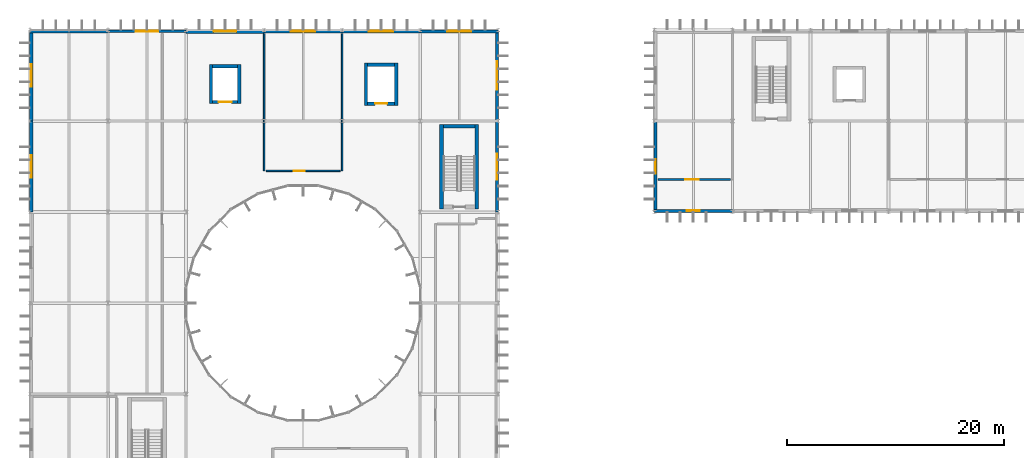
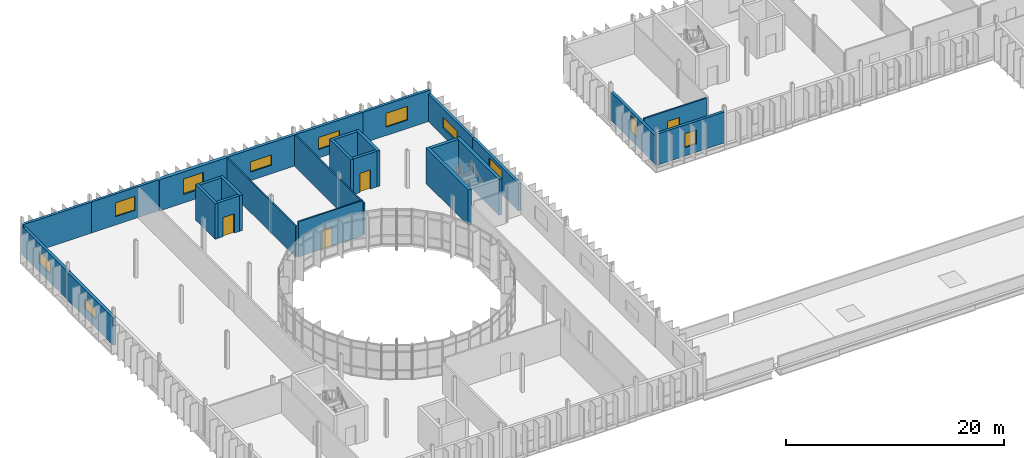
# One storey, part 46 of 61: 27 walls, 11 windows, 4 doors, 15 openings.
"""IFC4 building model written with IfcOpenShell, lengths in metres."""

import ifcopenshell
import ifcopenshell.guid

model = None  # the IFC model being written
_history = None  # IfcOwnerHistory: only IFC2X3 demands one
_inside = {}  # id of a spatial element -> (the spatial element, [elements in it])
_under = {}  # id of a project, library or spatial element -> (it, [spatial elements below it])
_declared = {}  # id of a project -> (the project, [libraries it declares])
_typed = {}  # id of a type object -> (the type object, [elements of that type])
_made_of = {}  # id of a material, layer set ... -> (it, [elements and type objects made of it])


def new_model(schema):
    """Start an empty IFC model of exactly this schema.

    Asked for "IFC4X3", IfcOpenShell would pick the latest addendum, in which some entities
    have other attributes; the version numbers below select the first issue.
    IFC2X3 requires an IfcOwnerHistory on every rooted entity: one is made here for all.
    """
    global model, _history
    if schema == "IFC4X3":
        model = ifcopenshell.file(schema_version=(4, 3, 0, 0))
    else:
        model = ifcopenshell.file(schema=schema)
    _inside.clear()
    _under.clear()
    _declared.clear()
    _typed.clear()
    _made_of.clear()
    _history = None
    if model.schema == "IFC2X3":
        org = make("IfcOrganization", Name="unknown")
        user = make(
            "IfcPersonAndOrganization",
            ThePerson=make("IfcPerson", FamilyName="unknown"),
            TheOrganization=org,
        )
        app = make(
            "IfcApplication",
            ApplicationDeveloper=org,
            Version="unknown",
            ApplicationFullName="unknown",
            ApplicationIdentifier="unknown",
        )
        _history = make(
            "IfcOwnerHistory",
            OwningUser=user,
            OwningApplication=app,
            ChangeAction="ADDED",
            CreationDate=0,
        )
    return model


def make(cls, **values):
    """One entity of the class cls with the attributes given. An attribute that is None is left unset."""
    return model.create_entity(
        cls, **{name: value for name, value in values.items() if value is not None}
    )


def rooted(cls, **values):
    """An entity with a GlobalId (a new one), such as an element, a storey or a relation."""
    return make(cls, GlobalId=ifcopenshell.guid.new(), OwnerHistory=_history, **values)


def si_unit(unit_type, name, prefix=None):
    """IfcSIUnit, for example si_unit("LENGTHUNIT", "METRE", prefix="MILLI")."""
    return make("IfcSIUnit", UnitType=unit_type, Prefix=prefix, Name=name)


def assignment(units):
    """IfcUnitAssignment: the units of a project."""
    return None if units is None else make("IfcUnitAssignment", Units=units)


def point(xyz):
    """IfcCartesianPoint."""
    return None if xyz is None else make("IfcCartesianPoint", Coordinates=xyz)


def direction(xyz):
    """IfcDirection."""
    return None if xyz is None else make("IfcDirection", DirectionRatios=xyz)


def frame(location, z_axis=None, x_axis=None):
    """IfcAxis2Placement3D, a coordinate frame: its origin and axes. An axis left out is left unset."""
    return make(
        "IfcAxis2Placement3D",
        Location=point(location),
        Axis=direction(z_axis),
        RefDirection=direction(x_axis),
    )


def frame_2d(location, x_axis=None):
    """IfcAxis2Placement2D, a coordinate frame in the plane: its origin and x axis."""
    return make(
        "IfcAxis2Placement2D", Location=point(location), RefDirection=direction(x_axis)
    )


def origin():
    """The frame at (0, 0, 0) with its axes left unset."""
    return frame((0.0, 0.0, 0.0))


def place(relative_to, where):
    """IfcLocalPlacement: puts the frame where relative to a parent placement (None: the world)."""
    return make(
        "IfcLocalPlacement", PlacementRelTo=relative_to, RelativePlacement=where
    )


def context(
    kind, dimensions, precision=None, world=None, true_north=None, identifier=None
):
    """IfcGeometricRepresentationContext, for example the 3D "Model" context."""
    return make(
        "IfcGeometricRepresentationContext",
        ContextIdentifier=identifier,
        ContextType=kind,
        CoordinateSpaceDimension=dimensions,
        Precision=precision,
        WorldCoordinateSystem=world,
        TrueNorth=true_north,
    )


def subcontext(parent, identifier, kind, view, scale=None):
    """IfcGeometricRepresentationSubContext, for example "Body" below "Model"."""
    return make(
        "IfcGeometricRepresentationSubContext",
        ContextIdentifier=identifier,
        ContextType=kind,
        ParentContext=parent,
        TargetScale=scale,
        TargetView=view,
    )


def project(units=None, contexts=None):
    """IfcProject with its units and contexts."""
    return rooted(
        "IfcProject",
        Name="project",
        RepresentationContexts=contexts,
        UnitsInContext=assignment(units),
    )


def spatial(cls, under=None, at=None, **own):
    """A site, building, storey or space (cls), placed at a placement, below another one or the project."""
    s = rooted(cls, ObjectPlacement=at, **own)
    if under is not None:
        _under.setdefault(under.id(), (under, []))[1].append(s)
    return s


def profile(cls, at=None, kind="AREA", **sizes):
    """A parametric profile (cls). Its sizes go by their IFC names, for example OverallWidth=200.0."""
    return make(cls, ProfileType=kind, Position=at, **sizes)


def rectangle(**sizes):
    """IfcRectangleProfileDef."""
    return profile("IfcRectangleProfileDef", **sizes)


def extrude(swept, where, along, depth):
    """IfcExtrudedAreaSolid: the profile swept, set in the frame where, extruded along a direction by depth."""
    return make(
        "IfcExtrudedAreaSolid",
        SweptArea=swept,
        Position=where,
        ExtrudedDirection=direction(along),
        Depth=depth,
    )


def shape(context_of_items, identifier, shape_type, items):
    """IfcShapeRepresentation: the items that make up one representation, for example the "Body"."""
    return make(
        "IfcShapeRepresentation",
        ContextOfItems=context_of_items,
        RepresentationIdentifier=identifier,
        RepresentationType=shape_type,
        Items=items,
    )


def material(Name=None, Category=None):
    """IfcMaterial."""
    return make("IfcMaterial", Name=Name, Category=Category)


def layer(
    of_material, thickness, ventilated=None, Name=None, Category=None, Priority=None
):
    """IfcMaterialLayer: one layer of a wall or slab, of a material (None: an air gap)."""
    return make(
        "IfcMaterialLayer",
        Material=of_material,
        LayerThickness=thickness,
        IsVentilated=ventilated,
        Name=Name,
        Category=Category,
        Priority=Priority,
    )


def layer_set(layers, Name=None):
    """IfcMaterialLayerSet."""
    return make("IfcMaterialLayerSet", MaterialLayers=layers, LayerSetName=Name)


def made_of(thing, what):
    """Note that an element or type object is made of a material, layer set ...; save() writes the relation."""
    if what is not None:
        _made_of.setdefault(what.id(), (what, []))[1].append(thing)
    return thing


def type_object(cls, material=None, **own):
    """A type object (cls), such as IfcWallType, which elements share."""
    return made_of(rooted(cls, **own), material)


def element(
    cls,
    number,
    at=None,
    inside=None,
    cuts=None,
    type_object=None,
    material=None,
    context=None,
    identifier="Body",
    shape_type=None,
    held_by="IfcProductDefinitionShape",
    body=None,
    shapes=None,
    **own,
):
    """One element of the class cls, such as IfcWall. Its Tag is "e" and its number.

    at: its placement. inside: the storey or other place that contains it. cuts: it is an
    opening in that element (IfcRelVoidsElement). A single representation is given by context,
    identifier, shape_type and body (its items); several are given by shapes. held_by: the class
    of the entity that holds the representations. save() writes the other relations.
    """
    e = rooted(cls, Tag="e%d" % number, ObjectPlacement=at, **own)
    if body is not None:
        shapes = [shape(context, identifier, shape_type, body)]
    if shapes is not None:
        e.Representation = make(held_by, Representations=shapes)
    if inside is not None:
        _inside.setdefault(inside.id(), (inside, []))[1].append(e)
    if cuts is not None:
        rooted(
            "IfcRelVoidsElement", RelatingBuildingElement=cuts, RelatedOpeningElement=e
        )
    if type_object is not None:
        _typed.setdefault(type_object.id(), (type_object, []))[1].append(e)
    return made_of(e, material)


def fill(opening, filler):
    """IfcRelFillsElement: the door or window that sits in an opening."""
    return rooted(
        "IfcRelFillsElement",
        RelatingOpeningElement=opening,
        RelatedBuildingElement=filler,
    )


def aggregate(whole, parts):
    """IfcRelAggregates: a whole, such as a stair, and the parts it consists of."""
    return rooted("IfcRelAggregates", RelatingObject=whole, RelatedObjects=parts)


def save(model, path):
    """Write the relations noted so far, then the file.

    IfcRelAggregates (storeys below a building ...), IfcRelContainedInSpatialStructure (elements
    in a storey), IfcRelDefinesByType, IfcRelAssociatesMaterial and IfcRelDeclares: one each for
    every whole, place, type object, material and project.
    """
    for whole, parts in _under.values():
        aggregate(whole, parts)
    for where, things in _inside.values():
        rooted(
            "IfcRelContainedInSpatialStructure",
            RelatedElements=things,
            RelatingStructure=where,
        )
    for kind, things in _typed.values():
        rooted("IfcRelDefinesByType", RelatedObjects=things, RelatingType=kind)
    for what, things in _made_of.values():
        rooted("IfcRelAssociatesMaterial", RelatedObjects=things, RelatingMaterial=what)
    for by, libraries in _declared.values():
        rooted("IfcRelDeclares", RelatingContext=by, RelatedDefinitions=libraries)
    model.write(path)


model = new_model("IFC4")

# Units and contexts
model_context = context("Model", 3, precision=1e-05, world=origin(), true_north=direction((0.0, 1.0)))
body_context = subcontext(model_context, "Body", "Model", "MODEL_VIEW")
ifc_project = project(units=[si_unit("LENGTHUNIT", "METRE"), si_unit("AREAUNIT", "SQUARE_METRE"), si_unit("VOLUMEUNIT", "CUBIC_METRE"), si_unit("PLANEANGLEUNIT", "RADIAN"), si_unit("MASSUNIT", "GRAM", prefix="KILO")], contexts=[model_context])

# Site, building, storey
site_placement = place(None, origin())
site = spatial("IfcSite", under=ifc_project, at=site_placement, CompositionType="ELEMENT")
building_placement = place(site_placement, origin())
building = spatial("IfcBuilding", under=site, at=building_placement, Name="Qelthora Terrace Specialist Clinic", CompositionType="ELEMENT")
storey_placement = place(building_placement, frame((0.0, 0.0, 13.199951171875)))
storey = spatial("IfcBuildingStorey", under=building, at=storey_placement, Name="L03", CompositionType="ELEMENT", Elevation=13.199951171875)

# Walls
ifc_material_1 = material(Name="Concrete C40/50", Category="concrete")
ifc_layer_1 = layer(ifc_material_1, 0.300048828125)
ifc_layer_set_1 = layer_set([ifc_layer_1], Name="Concrete C40/50")
wall_type_1 = type_object("IfcWallType", Name="WAL-CORE-300-C40", PredefinedType="SHEAR", material=ifc_layer_set_1)
for number, where, z_axis, x_axis, name in (
    (1, (31.0, 102.25, 0.0), (0.0, 0.0, 1.0), (0.0, 1.0, 0.0), "Lift SL-02 L03 west shaft wall"),
    (2, (33.800048828125, 102.25, 0.0), (0.0, 0.0, 1.0), (0.0, 1.0, 0.0), "Lift SL-02 L03 east shaft wall"),
):
    element("IfcWall", number, at=place(storey_placement, frame(where, z_axis=z_axis, x_axis=x_axis)), inside=storey, type_object=wall_type_1, Name=name, PredefinedType="SHEAR", context=body_context, shape_type="SweptSolid", body=[
        extrude(rectangle(XDim=3.89990234375, YDim=0.300048828125, at=frame_2d((1.949951171875, 0.0))), origin(), (0.0, 0.0, 1.0), 3.989990234375),
    ])
wall_1_placement = place(storey_placement, frame((31.14990234375, 106.0, 0.0), z_axis=(0.0, 0.0, 1.0), x_axis=(1.0, 0.0, 0.0)))
element("IfcWall", 3, at=wall_1_placement, inside=storey, type_object=wall_type_1, Name="Lift SL-02 L03 north shaft wall", PredefinedType="SHEAR", context=body_context, shape_type="SweptSolid", body=[
    extrude(rectangle(XDim=2.5, YDim=0.300048828125, at=frame_2d((1.25, 0.0))), origin(), (0.0, 0.0, 1.0), 3.989990234375),
])

# Wall, opening, door
wall_2_placement = place(storey_placement, frame((31.14990234375, 102.39990234375, 0.0), z_axis=(0.0, 0.0, 1.0), x_axis=(1.0, 0.0, 0.0)))
wall_2 = element("IfcWall", 4, at=wall_2_placement, inside=storey, type_object=wall_type_1, Name="Lift SL-02 L03 south shaft wall", PredefinedType="SHEAR", context=body_context, shape_type="SweptSolid", body=[
    extrude(rectangle(XDim=2.5, YDim=0.300048828125, at=frame_2d((1.25, 0.0))), origin(), (0.0, 0.0, 1.0), 3.989990234375),
])
opening_1_placement = place(wall_2_placement, frame((0.699951171875, 0.0, 0.0)))
opening_1 = element("IfcOpeningElement", 5, at=opening_1_placement, cuts=wall_2, Name="Opening LD-SL-02-L03", PredefinedType="OPENING", context=body_context, shape_type="SweptSolid", body=[
    extrude(rectangle(XDim=1.10009765625, YDim=2.14990234375, at=frame_2d((0.550048828125, 1.074951171875))), frame((0.0, 0.159912109375, 0.0), z_axis=(0.0, -1.0, 0.0), x_axis=(1.0, 0.0, 0.0)), (0.0, 0.0, 1.0), 0.320068359375),
])
ifc_material_2 = material(Name="Steel S355", Category="steel")
door_type_1 = type_object("IfcDoorType", Name="DOR-LIFT-1100X2150", OperationType="NOTDEFINED", PredefinedType="DOOR", material=ifc_material_2)
door_1_placement = place(opening_1_placement, origin())
door_1 = element("IfcDoor", 6, at=door_1_placement, inside=storey, type_object=door_type_1, Name="Lift landing sliding door LD-SL-02-L03", OperationType="DOUBLE_DOOR_SLIDING", OverallHeight=2.14990234375, OverallWidth=1.10009765625, PredefinedType="DOOR", context=body_context, shape_type="SweptSolid", body=[
    extrude(rectangle(XDim=1.10009765625, YDim=2.14990234375, at=frame_2d((0.550048828125, 1.074951171875))), frame((0.0, 0.02490234375, 0.0), z_axis=(0.0, -1.0, 0.0), x_axis=(1.0, 0.0, 0.0)), (0.0, 0.0, 1.0), 0.050048828125),
])
fill(opening_1, door_1)

# Walls
for number, where, z_axis, x_axis, name in (
    (7, (16.699951171875, 102.39990234375, 0.0), (0.0, 0.0, 1.0), (0.0, 1.0, 0.0), "Lift GL-01 L03 west shaft wall"),
    (8, (19.300048828125, 102.39990234375, 0.0), (0.0, 0.0, 1.0), (0.0, 1.0, 0.0), "Lift GL-01 L03 east shaft wall"),
):
    element("IfcWall", number, at=place(storey_placement, frame(where, z_axis=z_axis, x_axis=x_axis)), inside=storey, type_object=wall_type_1, Name=name, PredefinedType="SHEAR", context=body_context, shape_type="SweptSolid", body=[
        extrude(rectangle(XDim=3.60009765625, YDim=0.300048828125, at=frame_2d((1.800048828125, 0.0))), origin(), (0.0, 0.0, 1.0), 3.989990234375),
    ])
wall_3_placement = place(storey_placement, frame((16.85009765625, 105.85009765625, 0.0), z_axis=(0.0, 0.0, 1.0), x_axis=(1.0, 0.0, 0.0)))
element("IfcWall", 9, at=wall_3_placement, inside=storey, type_object=wall_type_1, Name="Lift GL-01 L03 north shaft wall", PredefinedType="SHEAR", context=body_context, shape_type="SweptSolid", body=[
    extrude(rectangle(XDim=2.2998046875, YDim=0.300048828125, at=frame_2d((1.14990234375, 0.0))), origin(), (0.0, 0.0, 1.0), 3.989990234375),
])

# Wall, opening, door
wall_4_placement = place(storey_placement, frame((16.85009765625, 102.550048828125, 0.0), z_axis=(0.0, 0.0, 1.0), x_axis=(1.0, 0.0, 0.0)))
wall_4 = element("IfcWall", 10, at=wall_4_placement, inside=storey, type_object=wall_type_1, Name="Lift GL-01 L03 south shaft wall", PredefinedType="SHEAR", context=body_context, shape_type="SweptSolid", body=[
    extrude(rectangle(XDim=2.2998046875, YDim=0.300048828125, at=frame_2d((1.14990234375, 0.0))), origin(), (0.0, 0.0, 1.0), 3.989990234375),
])
opening_2_placement = place(wall_4_placement, frame((0.550048828125, 0.0, 0.0)))
opening_2 = element("IfcOpeningElement", 11, at=opening_2_placement, cuts=wall_4, Name="Opening LD-GL-01-L03", PredefinedType="OPENING", context=body_context, shape_type="SweptSolid", body=[
    extrude(rectangle(XDim=1.199951171875, YDim=2.14990234375, at=frame_2d((0.60009765625, 1.074951171875))), frame((0.0, 0.159912109375, 0.0), z_axis=(0.0, -1.0, 0.0), x_axis=(1.0, 0.0, 0.0)), (0.0, 0.0, 1.0), 0.320068359375),
])
door_type_2 = type_object("IfcDoorType", Name="DOR-LIFT-1200X2150", OperationType="NOTDEFINED", PredefinedType="DOOR", material=ifc_material_2)
door_2_placement = place(opening_2_placement, origin())
door_2 = element("IfcDoor", 12, at=door_2_placement, inside=storey, type_object=door_type_2, Name="Lift landing sliding door LD-GL-01-L03", OperationType="DOUBLE_DOOR_SLIDING", OverallHeight=2.14990234375, OverallWidth=1.199951171875, PredefinedType="DOOR", context=body_context, shape_type="SweptSolid", body=[
    extrude(rectangle(XDim=1.199951171875, YDim=2.14990234375, at=frame_2d((0.60009765625, 1.074951171875))), frame((0.0, 0.02490234375, 0.0), z_axis=(0.0, -1.0, 0.0), x_axis=(1.0, 0.0, 0.0)), (0.0, 0.0, 1.0), 0.050048828125),
])
fill(opening_2, door_2)

# Walls
ifc_layer_2 = layer(ifc_material_1, 0.35009765625)
ifc_layer_set_2 = layer_set([ifc_layer_2], Name="Concrete C40/50")
wall_type_2 = type_object("IfcWallType", Name="WAL-CORE-350-C40", PredefinedType="SHEAR", material=ifc_layer_set_2)
for number, where, z_axis, x_axis, name in (
    (13, (37.97509765625, 92.699951171875, 0.0), (0.0, 0.0, 1.0), (0.0, 1.0, 0.0), "ST-02 L03 west shear core wall"),
    (14, (41.22509765625, 92.699951171875, 0.0), (0.0, 0.0, 1.0), (0.0, 1.0, 0.0), "ST-02 L03 east shear core wall"),
):
    element("IfcWall", number, at=place(storey_placement, frame(where, z_axis=z_axis, x_axis=x_axis)), inside=storey, type_object=wall_type_2, Name=name, PredefinedType="SHEAR", context=body_context, shape_type="SweptSolid", body=[
        extrude(rectangle(XDim=7.800048828125, YDim=0.35009765625, at=frame_2d((3.89990234375, 0.0))), origin(), (0.0, 0.0, 1.0), 3.989990234375),
    ])
wall_5_placement = place(storey_placement, frame((38.14990234375, 100.324951171875, 0.0), z_axis=(0.0, 0.0, 1.0), x_axis=(1.0, 0.0, 0.0)))
element("IfcWall", 15, at=wall_5_placement, inside=storey, type_object=wall_type_2, Name="ST-02 L03 north shear core wall", PredefinedType="SHEAR", context=body_context, shape_type="SweptSolid", body=[
    extrude(rectangle(XDim=2.900146484375, YDim=0.35009765625, at=frame_2d((1.4501953125, 0.0))), origin(), (0.0, 0.0, 1.0), 3.989990234375),
])

# Wall, opening, window
ifc_material_3 = material(Name="Precast concrete C40/50", Category="concrete")
ifc_layer_3 = layer(ifc_material_3, 0.260009765625)
ifc_layer_set_3 = layer_set([ifc_layer_3], Name="Precast concrete C40/50")
wall_type_3 = type_object("IfcWallType", Name="WAL-EXT-260-PC40", PredefinedType="SOLIDWALL", material=ifc_layer_set_3)
wall_6_placement = place(storey_placement, frame((7.199951171875, 109.080078125, 0.0), z_axis=(0.0, 0.0, 1.0), x_axis=(1.0, 0.0, 0.0)))
wall_6 = element("IfcWall", 16, at=wall_6_placement, inside=storey, type_object=wall_type_3, Name="L03 external precast wall 329", PredefinedType="SOLIDWALL", context=body_context, shape_type="SweptSolid", body=[
    extrude(rectangle(XDim=7.199951171875, YDim=0.260009765625, at=frame_2d((3.60009765625, 0.0))), origin(), (0.0, 0.0, 1.0), 3.48193359375),
])
opening_3_placement = place(wall_6_placement, frame((2.550048828125, 0.0, 0.949951171875)))
opening_3 = element("IfcOpeningElement", 17, at=opening_3_placement, cuts=wall_6, Name="Opening WN-L03-287", PredefinedType="OPENING", context=body_context, shape_type="SweptSolid", body=[
    extrude(rectangle(XDim=2.10009765625, YDim=1.550048828125, at=frame_2d((1.050048828125, 0.77490234375))), frame((0.0, 0.139892578125, 0.0), z_axis=(0.0, -1.0, 0.0), x_axis=(1.0, 0.0, 0.0)), (0.0, 0.0, 1.0), 0.280029296875),
])
ifc_material_4 = material(Name="Low-E triple-silver insulating glass", Category="glass")
window_type_1 = type_object("IfcWindowType", Name="WIN-2100X1550", PartitioningType="DOUBLE_PANEL_VERTICAL", PredefinedType="WINDOW", material=ifc_material_4)
window_1_placement = place(opening_3_placement, origin())
window_1 = element("IfcWindow", 18, at=window_1_placement, inside=storey, type_object=window_type_1, Name="Clinical window WN-L03-287", OverallHeight=1.550048828125, OverallWidth=2.10009765625, PartitioningType="SINGLE_PANEL", PredefinedType="WINDOW", context=body_context, shape_type="SweptSolid", body=[
    extrude(rectangle(XDim=2.10009765625, YDim=1.550048828125, at=frame_2d((1.050048828125, 0.77490234375))), frame((0.0, 0.030029296875, 0.0), z_axis=(0.0, -1.0, 0.0), x_axis=(1.0, 0.0, 0.0)), (0.0, 0.0, 1.0), 0.06005859375),
])
fill(opening_3, window_1)

wall_7_placement = place(storey_placement, frame((43.080078125, 100.800048828125, 0.0), z_axis=(0.0, 0.0, 1.0), x_axis=(0.0, 1.0, 0.0)))
wall_7 = element("IfcWall", 19, at=wall_7_placement, inside=storey, type_object=wall_type_3, Name="L03 external precast wall 339", PredefinedType="SOLIDWALL", context=body_context, shape_type="SweptSolid", body=[
    extrude(rectangle(XDim=8.39990234375, YDim=0.260009765625, at=frame_2d((4.199951171875, 0.0))), origin(), (0.0, 0.0, 1.0), 3.091064453125),
])
opening_4_placement = place(wall_7_placement, frame((2.89990234375, 0.0, 0.949951171875)))
opening_4 = element("IfcOpeningElement", 20, at=opening_4_placement, cuts=wall_7, Name="Opening WN-L03-297", PredefinedType="OPENING", context=body_context, shape_type="SweptSolid", body=[
    extrude(rectangle(XDim=2.60009765625, YDim=1.14990234375, at=frame_2d((1.300048828125, 0.574951171875))), frame((0.0, 0.139892578125, 0.0), z_axis=(0.0, -1.0, 0.0), x_axis=(1.0, 0.0, 0.0)), (0.0, 0.0, 1.0), 0.280029296875),
])
window_type_2 = type_object("IfcWindowType", Name="WIN-2600X1150", PartitioningType="DOUBLE_PANEL_VERTICAL", PredefinedType="WINDOW", material=ifc_material_4)
window_2_placement = place(opening_4_placement, origin())
window_2 = element("IfcWindow", 21, at=window_2_placement, inside=storey, type_object=window_type_2, Name="Clinical window WN-L03-297", OverallHeight=1.14990234375, OverallWidth=2.60009765625, PartitioningType="SINGLE_PANEL", PredefinedType="WINDOW", context=body_context, shape_type="SweptSolid", body=[
    extrude(rectangle(XDim=2.60009765625, YDim=1.14990234375, at=frame_2d((1.300048828125, 0.574951171875))), frame((0.0, 0.030029296875, 0.0), z_axis=(0.0, -1.0, 0.0), x_axis=(1.0, 0.0, 0.0)), (0.0, 0.0, 1.0), 0.06005859375),
])
fill(opening_4, window_2)

ifc_layer_4 = layer(ifc_material_3, 0.280029296875)
ifc_layer_set_4 = layer_set([ifc_layer_4], Name="Precast concrete C40/50")
wall_type_4 = type_object("IfcWallType", Name="WAL-EXT-280-PC40", PredefinedType="SOLIDWALL", material=ifc_layer_set_4)
wall_8_placement = place(storey_placement, frame((57.60009765625, 92.52001953125, 0.0), z_axis=(0.0, 0.0, 1.0), x_axis=(1.0, 0.0, 0.0)))
wall_8 = element("IfcWall", 22, at=wall_8_placement, inside=storey, type_object=wall_type_4, Name="L03 external precast wall 303", PredefinedType="SOLIDWALL", context=body_context, shape_type="SweptSolid", body=[
    extrude(rectangle(XDim=7.199951171875, YDim=0.280029296875, at=frame_2d((3.60009765625, 0.0))), origin(), (0.0, 0.0, 1.0), 3.48193359375),
])
opening_5_placement = place(wall_8_placement, frame((3.0, 0.0, 0.949951171875)))
opening_5 = element("IfcOpeningElement", 23, at=opening_5_placement, cuts=wall_8, Name="Opening WN-L03-263", PredefinedType="OPENING", context=body_context, shape_type="SweptSolid", body=[
    extrude(rectangle(XDim=1.199951171875, YDim=1.550048828125, at=frame_2d((0.60009765625, 0.77490234375))), frame((0.0, 0.14990234375, 0.0), z_axis=(0.0, -1.0, 0.0), x_axis=(1.0, 0.0, 0.0)), (0.0, 0.0, 1.0), 0.300048828125),
])
window_type_3 = type_object("IfcWindowType", Name="WIN-1200X1550", PartitioningType="SINGLE_PANEL", PredefinedType="WINDOW", material=ifc_material_4)
window_3_placement = place(opening_5_placement, origin())
window_3 = element("IfcWindow", 24, at=window_3_placement, inside=storey, type_object=window_type_3, Name="Clinical window WN-L03-263", OverallHeight=1.550048828125, OverallWidth=1.199951171875, PartitioningType="SINGLE_PANEL", PredefinedType="WINDOW", context=body_context, shape_type="SweptSolid", body=[
    extrude(rectangle(XDim=1.199951171875, YDim=1.550048828125, at=frame_2d((0.60009765625, 0.77490234375))), frame((0.0, 0.030029296875, 0.0), z_axis=(0.0, -1.0, 0.0), x_axis=(1.0, 0.0, 0.0)), (0.0, 0.0, 1.0), 0.06005859375),
])
fill(opening_5, window_3)

wall_9_placement = place(storey_placement, frame((57.719970703125, 92.39990234375, 0.0), z_axis=(0.0, 0.0, 1.0), x_axis=(0.0, 1.0, 0.0)))
wall_9 = element("IfcWall", 25, at=wall_9_placement, inside=storey, type_object=wall_type_4, Name="L03 external precast wall 308", PredefinedType="SOLIDWALL", context=body_context, shape_type="SweptSolid", body=[
    extrude(rectangle(XDim=8.400146484375, YDim=0.280029296875, at=frame_2d((4.2001953125, 0.0))), origin(), (0.0, 0.0, 1.0), 3.172119140625),
])
opening_6_placement = place(wall_9_placement, frame((3.52490234375, 0.0, 0.949951171875)))
opening_6 = element("IfcOpeningElement", 26, at=opening_6_placement, cuts=wall_9, Name="Opening WN-L03-268", PredefinedType="OPENING", context=body_context, shape_type="SweptSolid", body=[
    extrude(rectangle(XDim=1.35009765625, YDim=1.75, at=frame_2d((0.675048828125, 0.875))), frame((0.0, 0.14990234375, 0.0), z_axis=(0.0, -1.0, 0.0), x_axis=(1.0, 0.0, 0.0)), (0.0, 0.0, 1.0), 0.300048828125),
])
window_type_4 = type_object("IfcWindowType", Name="WIN-1350X1750", PartitioningType="SINGLE_PANEL", PredefinedType="WINDOW", material=ifc_material_4)
window_4_placement = place(opening_6_placement, origin())
window_4 = element("IfcWindow", 27, at=window_4_placement, inside=storey, type_object=window_type_4, Name="Clinical window WN-L03-268", OverallHeight=1.75, OverallWidth=1.35009765625, PartitioningType="SINGLE_PANEL", PredefinedType="WINDOW", context=body_context, shape_type="SweptSolid", body=[
    extrude(rectangle(XDim=1.35009765625, YDim=1.75, at=frame_2d((0.675048828125, 0.875))), frame((0.0, 0.030029296875, 0.0), z_axis=(0.0, -1.0, 0.0), x_axis=(1.0, 0.0, 0.0)), (0.0, 0.0, 1.0), 0.06005859375),
])
fill(opening_6, window_4)

# Wall
wall_10_placement = place(storey_placement, frame((0.0, 109.080078125, 0.0), z_axis=(0.0, 0.0, 1.0), x_axis=(1.0, 0.0, 0.0)))
element("IfcWall", 28, at=wall_10_placement, inside=storey, type_object=wall_type_4, Name="L03 external precast wall 328", PredefinedType="SOLIDWALL", context=body_context, shape_type="SweptSolid", body=[
    extrude(rectangle(XDim=7.199951171875, YDim=0.280029296875, at=frame_2d((3.60009765625, 0.0))), origin(), (0.0, 0.0, 1.0), 3.48193359375),
])

# Wall, opening, window
wall_11_placement = place(storey_placement, frame((36.0, 109.080078125, 0.0), z_axis=(0.0, 0.0, 1.0), x_axis=(1.0, 0.0, 0.0)))
wall_11 = element("IfcWall", 29, at=wall_11_placement, inside=storey, type_object=wall_type_4, Name="L03 external precast wall 333", PredefinedType="SOLIDWALL", context=body_context, shape_type="SweptSolid", body=[
    extrude(rectangle(XDim=7.199951171875, YDim=0.280029296875, at=frame_2d((3.60009765625, 0.0))), origin(), (0.0, 0.0, 1.0), 3.48193359375),
])
opening_7_placement = place(wall_11_placement, frame((2.47509765625, 0.0, 0.949951171875)))
opening_7 = element("IfcOpeningElement", 30, at=opening_7_placement, cuts=wall_11, Name="Opening WN-L03-291", PredefinedType="OPENING", context=body_context, shape_type="SweptSolid", body=[
    extrude(rectangle(XDim=2.25, YDim=1.550048828125, at=frame_2d((1.125, 0.77490234375))), frame((0.0, 0.14990234375, 0.0), z_axis=(0.0, -1.0, 0.0), x_axis=(1.0, 0.0, 0.0)), (0.0, 0.0, 1.0), 0.300048828125),
])
window_type_5 = type_object("IfcWindowType", Name="WIN-2250X1550", PartitioningType="DOUBLE_PANEL_VERTICAL", PredefinedType="WINDOW", material=ifc_material_4)
window_5_placement = place(opening_7_placement, origin())
window_5 = element("IfcWindow", 31, at=window_5_placement, inside=storey, type_object=window_type_5, Name="Clinical window WN-L03-291", OverallHeight=1.550048828125, OverallWidth=2.25, PartitioningType="SINGLE_PANEL", PredefinedType="WINDOW", context=body_context, shape_type="SweptSolid", body=[
    extrude(rectangle(XDim=2.25, YDim=1.550048828125, at=frame_2d((1.125, 0.77490234375))), frame((0.0, 0.030029296875, 0.0), z_axis=(0.0, -1.0, 0.0), x_axis=(1.0, 0.0, 0.0)), (0.0, 0.0, 1.0), 0.06005859375),
])
fill(opening_7, window_5)

wall_12_placement = place(storey_placement, frame((43.080078125, 92.39990234375, 0.0), z_axis=(0.0, 0.0, 1.0), x_axis=(0.0, 1.0, 0.0)))
wall_12 = element("IfcWall", 32, at=wall_12_placement, inside=storey, type_object=wall_type_4, Name="L03 external precast wall 338", PredefinedType="SOLIDWALL", context=body_context, shape_type="SweptSolid", body=[
    extrude(rectangle(XDim=8.400146484375, YDim=0.280029296875, at=frame_2d((4.2001953125, 0.0))), origin(), (0.0, 0.0, 1.0), 3.091064453125),
])
opening_8_placement = place(wall_12_placement, frame((3.0, 0.0, 0.949951171875)))
opening_8 = element("IfcOpeningElement", 33, at=opening_8_placement, cuts=wall_12, Name="Opening WN-L03-296", PredefinedType="OPENING", context=body_context, shape_type="SweptSolid", body=[
    extrude(rectangle(XDim=2.39990234375, YDim=1.75, at=frame_2d((1.199951171875, 0.875))), frame((0.0, 0.14990234375, 0.0), z_axis=(0.0, -1.0, 0.0), x_axis=(1.0, 0.0, 0.0)), (0.0, 0.0, 1.0), 0.300048828125),
])
window_type_6 = type_object("IfcWindowType", Name="WIN-2400X1750", PartitioningType="DOUBLE_PANEL_VERTICAL", PredefinedType="WINDOW", material=ifc_material_4)
window_6_placement = place(opening_8_placement, origin())
window_6 = element("IfcWindow", 34, at=window_6_placement, inside=storey, type_object=window_type_6, Name="Clinical window WN-L03-296", OverallHeight=1.75, OverallWidth=2.39990234375, PartitioningType="SINGLE_PANEL", PredefinedType="WINDOW", context=body_context, shape_type="SweptSolid", body=[
    extrude(rectangle(XDim=2.39990234375, YDim=1.75, at=frame_2d((1.199951171875, 0.875))), frame((0.0, 0.030029296875, 0.0), z_axis=(0.0, -1.0, 0.0), x_axis=(1.0, 0.0, 0.0)), (0.0, 0.0, 1.0), 0.06005859375),
])
fill(opening_8, window_6)

ifc_layer_5 = layer(ifc_material_3, 0.300048828125)
ifc_layer_set_5 = layer_set([ifc_layer_5], Name="Precast concrete C40/50")
wall_type_5 = type_object("IfcWallType", Name="WAL-EXT-300-PC40", PredefinedType="SOLIDWALL", material=ifc_layer_set_5)
wall_13_placement = place(storey_placement, frame((0.1201171875, 100.800048828125, 0.0), z_axis=(0.0, 0.0, 1.0), x_axis=(0.0, 1.0, 0.0)))
wall_13 = element("IfcWall", 35, at=wall_13_placement, inside=storey, type_object=wall_type_5, Name="L03 external precast wall 327", PredefinedType="SOLIDWALL", context=body_context, shape_type="SweptSolid", body=[
    extrude(rectangle(XDim=8.39990234375, YDim=0.300048828125, at=frame_2d((4.199951171875, 0.0))), origin(), (0.0, 0.0, 1.0), 3.172119140625),
])
opening_9_placement = place(wall_13_placement, frame((3.14990234375, 0.0, 0.949951171875)))
opening_9 = element("IfcOpeningElement", 36, at=opening_9_placement, cuts=wall_13, Name="Opening WN-L03-286", PredefinedType="OPENING", context=body_context, shape_type="SweptSolid", body=[
    extrude(rectangle(XDim=2.10009765625, YDim=1.35009765625, at=frame_2d((1.050048828125, 0.675048828125))), frame((0.0, 0.159912109375, 0.0), z_axis=(0.0, -1.0, 0.0), x_axis=(1.0, 0.0, 0.0)), (0.0, 0.0, 1.0), 0.320068359375),
])
window_type_7 = type_object("IfcWindowType", Name="WIN-2100X1350", PartitioningType="DOUBLE_PANEL_VERTICAL", PredefinedType="WINDOW", material=ifc_material_4)
window_7_placement = place(opening_9_placement, origin())
window_7 = element("IfcWindow", 37, at=window_7_placement, inside=storey, type_object=window_type_7, Name="Clinical window WN-L03-286", OverallHeight=1.35009765625, OverallWidth=2.10009765625, PartitioningType="SINGLE_PANEL", PredefinedType="WINDOW", context=body_context, shape_type="SweptSolid", body=[
    extrude(rectangle(XDim=2.10009765625, YDim=1.35009765625, at=frame_2d((1.050048828125, 0.675048828125))), frame((0.0, 0.030029296875, 0.0), z_axis=(0.0, -1.0, 0.0), x_axis=(1.0, 0.0, 0.0)), (0.0, 0.0, 1.0), 0.06005859375),
])
fill(opening_9, window_7)

wall_14_placement = place(storey_placement, frame((28.800048828125, 109.080078125, 0.0), z_axis=(0.0, 0.0, 1.0), x_axis=(1.0, 0.0, 0.0)))
wall_14 = element("IfcWall", 38, at=wall_14_placement, inside=storey, type_object=wall_type_5, Name="L03 external precast wall 332", PredefinedType="SOLIDWALL", context=body_context, shape_type="SweptSolid", body=[
    extrude(rectangle(XDim=7.199951171875, YDim=0.300048828125, at=frame_2d((3.60009765625, 0.0))), origin(), (0.0, 0.0, 1.0), 3.48193359375),
])
opening_10_placement = place(wall_14_placement, frame((2.47509765625, 0.0, 0.949951171875)))
opening_10 = element("IfcOpeningElement", 39, at=opening_10_placement, cuts=wall_14, Name="Opening WN-L03-290", PredefinedType="OPENING", context=body_context, shape_type="SweptSolid", body=[
    extrude(rectangle(XDim=2.25, YDim=1.35009765625, at=frame_2d((1.125, 0.675048828125))), frame((0.0, 0.159912109375, 0.0), z_axis=(0.0, -1.0, 0.0), x_axis=(1.0, 0.0, 0.0)), (0.0, 0.0, 1.0), 0.320068359375),
])
window_type_8 = type_object("IfcWindowType", Name="WIN-2250X1350", PartitioningType="DOUBLE_PANEL_VERTICAL", PredefinedType="WINDOW", material=ifc_material_4)
window_8_placement = place(opening_10_placement, origin())
window_8 = element("IfcWindow", 40, at=window_8_placement, inside=storey, type_object=window_type_8, Name="Clinical window WN-L03-290", OverallHeight=1.35009765625, OverallWidth=2.25, PartitioningType="SINGLE_PANEL", PredefinedType="WINDOW", context=body_context, shape_type="SweptSolid", body=[
    extrude(rectangle(XDim=2.25, YDim=1.35009765625, at=frame_2d((1.125, 0.675048828125))), frame((0.0, 0.030029296875, 0.0), z_axis=(0.0, -1.0, 0.0), x_axis=(1.0, 0.0, 0.0)), (0.0, 0.0, 1.0), 0.06005859375),
])
fill(opening_10, window_8)

ifc_layer_6 = layer(ifc_material_3, 0.320068359375)
ifc_layer_set_6 = layer_set([ifc_layer_6], Name="Precast concrete C40/50")
wall_type_6 = type_object("IfcWallType", Name="WAL-EXT-320-PC40", PredefinedType="SOLIDWALL", material=ifc_layer_set_6)
wall_15_placement = place(storey_placement, frame((0.1201171875, 92.39990234375, 0.0), z_axis=(0.0, 0.0, 1.0), x_axis=(0.0, 1.0, 0.0)))
wall_15 = element("IfcWall", 41, at=wall_15_placement, inside=storey, type_object=wall_type_6, Name="L03 external precast wall 326", PredefinedType="SOLIDWALL", context=body_context, shape_type="SweptSolid", body=[
    extrude(rectangle(XDim=8.400146484375, YDim=0.320068359375, at=frame_2d((4.2001953125, 0.0))), origin(), (0.0, 0.0, 1.0), 3.091064453125),
])
opening_11_placement = place(wall_15_placement, frame((3.14990234375, 0.0, 0.949951171875)))
opening_11 = element("IfcOpeningElement", 42, at=opening_11_placement, cuts=wall_15, Name="Opening WN-L03-285", PredefinedType="OPENING", context=body_context, shape_type="SweptSolid", body=[
    extrude(rectangle(XDim=2.10009765625, YDim=1.14990234375, at=frame_2d((1.050048828125, 0.574951171875))), frame((0.0, 0.169921875, 0.0), z_axis=(0.0, -1.0, 0.0), x_axis=(1.0, 0.0, 0.0)), (0.0, 0.0, 1.0), 0.340087890625),
])
window_type_9 = type_object("IfcWindowType", Name="WIN-2100X1150", PartitioningType="DOUBLE_PANEL_VERTICAL", PredefinedType="WINDOW", material=ifc_material_4)
window_9_placement = place(opening_11_placement, origin())
window_9 = element("IfcWindow", 43, at=window_9_placement, inside=storey, type_object=window_type_9, Name="Clinical window WN-L03-285", OverallHeight=1.14990234375, OverallWidth=2.10009765625, PartitioningType="SINGLE_PANEL", PredefinedType="WINDOW", context=body_context, shape_type="SweptSolid", body=[
    extrude(rectangle(XDim=2.10009765625, YDim=1.14990234375, at=frame_2d((1.050048828125, 0.574951171875))), frame((0.0, 0.030029296875, 0.0), z_axis=(0.0, -1.0, 0.0), x_axis=(1.0, 0.0, 0.0)), (0.0, 0.0, 1.0), 0.06005859375),
])
fill(opening_11, window_9)

wall_16_placement = place(storey_placement, frame((21.60009765625, 109.080078125, 0.0), z_axis=(0.0, 0.0, 1.0), x_axis=(1.0, 0.0, 0.0)))
wall_16 = element("IfcWall", 44, at=wall_16_placement, inside=storey, type_object=wall_type_6, Name="L03 external precast wall 331", PredefinedType="SOLIDWALL", context=body_context, shape_type="SweptSolid", body=[
    extrude(rectangle(XDim=7.199951171875, YDim=0.320068359375, at=frame_2d((3.60009765625, 0.0))), origin(), (0.0, 0.0, 1.0), 3.48193359375),
])
opening_12_placement = place(wall_16_placement, frame((2.47509765625, 0.0, 0.949951171875)))
opening_12 = element("IfcOpeningElement", 45, at=opening_12_placement, cuts=wall_16, Name="Opening WN-L03-289", PredefinedType="OPENING", context=body_context, shape_type="SweptSolid", body=[
    extrude(rectangle(XDim=2.25, YDim=1.14990234375, at=frame_2d((1.125, 0.574951171875))), frame((0.0, 0.169921875, 0.0), z_axis=(0.0, -1.0, 0.0), x_axis=(1.0, 0.0, 0.0)), (0.0, 0.0, 1.0), 0.340087890625),
])
window_type_10 = type_object("IfcWindowType", Name="WIN-2250X1150", PartitioningType="DOUBLE_PANEL_VERTICAL", PredefinedType="WINDOW", material=ifc_material_4)
window_10_placement = place(opening_12_placement, origin())
window_10 = element("IfcWindow", 46, at=window_10_placement, inside=storey, type_object=window_type_10, Name="Clinical window WN-L03-289", OverallHeight=1.14990234375, OverallWidth=2.25, PartitioningType="SINGLE_PANEL", PredefinedType="WINDOW", context=body_context, shape_type="SweptSolid", body=[
    extrude(rectangle(XDim=2.25, YDim=1.14990234375, at=frame_2d((1.125, 0.574951171875))), frame((0.0, 0.030029296875, 0.0), z_axis=(0.0, -1.0, 0.0), x_axis=(1.0, 0.0, 0.0)), (0.0, 0.0, 1.0), 0.06005859375),
])
fill(opening_12, window_10)

ifc_layer_7 = layer(ifc_material_3, 0.3798828125)
ifc_layer_set_7 = layer_set([ifc_layer_7], Name="Precast concrete C40/50")
wall_type_7 = type_object("IfcWallType", Name="WAL-EXT-380-PC40", PredefinedType="SOLIDWALL", material=ifc_layer_set_7)
wall_17_placement = place(storey_placement, frame((14.39990234375, 109.080078125, 0.0), z_axis=(0.0, 0.0, 1.0), x_axis=(1.0, 0.0, 0.0)))
wall_17 = element("IfcWall", 47, at=wall_17_placement, inside=storey, type_object=wall_type_7, Name="L03 external precast wall 330", PredefinedType="SOLIDWALL", context=body_context, shape_type="SweptSolid", body=[
    extrude(rectangle(XDim=7.2001953125, YDim=0.3798828125, at=frame_2d((3.60009765625, 0.0))), origin(), (0.0, 0.0, 1.0), 3.48193359375),
])
opening_13_placement = place(wall_17_placement, frame((2.550048828125, 0.0, 0.949951171875)))
opening_13 = element("IfcOpeningElement", 48, at=opening_13_placement, cuts=wall_17, Name="Opening WN-L03-288", PredefinedType="OPENING", context=body_context, shape_type="SweptSolid", body=[
    extrude(rectangle(XDim=2.10009765625, YDim=1.75, at=frame_2d((1.050048828125, 0.875))), frame((0.0, 0.199951171875, 0.0), z_axis=(0.0, -1.0, 0.0), x_axis=(1.0, 0.0, 0.0)), (0.0, 0.0, 1.0), 0.39990234375),
])
window_type_11 = type_object("IfcWindowType", Name="WIN-2100X1750", PartitioningType="DOUBLE_PANEL_VERTICAL", PredefinedType="WINDOW", material=ifc_material_4)
window_11_placement = place(opening_13_placement, origin())
window_11 = element("IfcWindow", 49, at=window_11_placement, inside=storey, type_object=window_type_11, Name="Clinical window WN-L03-288", OverallHeight=1.75, OverallWidth=2.10009765625, PartitioningType="SINGLE_PANEL", PredefinedType="WINDOW", context=body_context, shape_type="SweptSolid", body=[
    extrude(rectangle(XDim=2.10009765625, YDim=1.75, at=frame_2d((1.050048828125, 0.875))), frame((0.0, 0.030029296875, 0.0), z_axis=(0.0, -1.0, 0.0), x_axis=(1.0, 0.0, 0.0)), (0.0, 0.0, 1.0), 0.06005859375),
])
fill(opening_13, window_11)

# Wall, opening, door
ifc_material_5 = material(Name="Gypsum fire-rated wallboard", Category="gypsum")
ifc_layer_8 = layer(ifc_material_5, 0.159912109375)
ifc_layer_set_8 = layer_set([ifc_layer_8], Name="Gypsum fire-rated wallboard")
wall_type_8 = type_object("IfcWallType", Name="WAL-INT-COR-160", PredefinedType="PARTITIONING", material=ifc_layer_set_8)
wall_18_placement = place(storey_placement, frame((64.6201171875, 95.39990234375, 0.0), z_axis=(0.0, 0.0, 1.0), x_axis=(-1.0, 0.0, 0.0)))
wall_18 = element("IfcWall", 50, at=wall_18_placement, inside=storey, type_object=wall_type_8, Name="Interior clinical partition IWAL-L03-0358", PredefinedType="PARTITIONING", context=body_context, shape_type="SweptSolid", body=[
    extrude(rectangle(XDim=6.68017578125, YDim=0.159912109375, at=frame_2d((3.340087890625, 0.0))), origin(), (0.0, 0.0, 1.0), 3.328125),
])
opening_14_placement = place(wall_18_placement, frame((2.9150390625, 0.0, 0.0)))
opening_14 = element("IfcOpeningElement", 51, at=opening_14_placement, cuts=wall_18, Name="Opening DI-L03-0143", PredefinedType="OPENING", context=body_context, shape_type="SweptSolid", body=[
    extrude(rectangle(XDim=1.25, YDim=2.14990234375, at=frame_2d((0.625, 1.074951171875))), frame((0.0, 0.08984375, 0.0), z_axis=(0.0, -1.0, 0.0), x_axis=(1.0, 0.0, 0.0)), (0.0, 0.0, 1.0), 0.179931640625),
])
ifc_material_6 = material(Name="Glulam timber GL28h", Category="wood")
door_type_3 = type_object("IfcDoorType", Name="DOR-INF-1250X2150", OperationType="NOTDEFINED", PredefinedType="DOOR", material=ifc_material_6)
door_3_placement = place(opening_14_placement, frame((1.25, 0.0, 0.0), z_axis=(0.0, 0.0, 1.0), x_axis=(-1.0, 0.0, 0.0)))
door_3 = element("IfcDoor", 52, at=door_3_placement, inside=storey, type_object=door_type_3, Name="Interior clinical door DI-L03-0143", OperationType="SINGLE_SWING_RIGHT", OverallHeight=2.14990234375, OverallWidth=1.25, PredefinedType="DOOR", context=body_context, shape_type="SweptSolid", body=[
    extrude(rectangle(XDim=1.25, YDim=2.14990234375, at=frame_2d((0.625, 1.074951171875))), frame((0.0, 0.02490234375, 0.0), z_axis=(0.0, -1.0, 0.0), x_axis=(1.0, 0.0, 0.0)), (0.0, 0.0, 1.0), 0.050048828125),
])
fill(opening_14, door_3)

# Walls
ifc_material_7 = material(Name="Gypsum moisture-resistant", Category="gypsum")
ifc_layer_9 = layer(ifc_material_7, 0.14990234375)
ifc_layer_set_9 = layer_set([ifc_layer_9], Name="Gypsum moisture-resistant")
wall_type_9 = type_object("IfcWallType", Name="WAL-INT-WET-150", PredefinedType="PLUMBINGWALL", material=ifc_layer_set_9)
wall_19_placement = place(storey_placement, frame((21.60009765625, 96.199951171875, 0.0), z_axis=(0.0, 0.0, 1.0), x_axis=(0.0, 1.0, 0.0)))
element("IfcWall", 53, at=wall_19_placement, inside=storey, type_object=wall_type_9, Name="Interior clinical partition IWAL-L03-0346", PredefinedType="PLUMBINGWALL", context=body_context, shape_type="SweptSolid", body=[
    extrude(rectangle(XDim=12.66015625, YDim=0.14990234375, at=frame_2d((6.330078125, 0.0))), origin(), (0.0, 0.0, 1.0), 3.47900390625),
])
wall_20_placement = place(storey_placement, frame((28.800048828125, 108.860107421875, 0.0), z_axis=(0.0, 0.0, 1.0), x_axis=(0.0, -1.0, 0.0)))
element("IfcWall", 54, at=wall_20_placement, inside=storey, type_object=wall_type_9, Name="Interior clinical partition IWAL-L03-0347", PredefinedType="PLUMBINGWALL", context=body_context, shape_type="SweptSolid", body=[
    extrude(rectangle(XDim=12.66015625, YDim=0.14990234375, at=frame_2d((6.330078125, 0.0))), origin(), (0.0, 0.0, 1.0), 3.531982421875),
])

# Wall, opening, door
wall_21_placement = place(storey_placement, frame((28.6201171875, 96.199951171875, 0.0), z_axis=(0.0, 0.0, 1.0), x_axis=(-1.0, 0.0, 0.0)))
wall_21 = element("IfcWall", 55, at=wall_21_placement, inside=storey, type_object=wall_type_9, Name="Interior clinical partition IWAL-L03-0348", PredefinedType="PLUMBINGWALL", context=body_context, shape_type="SweptSolid", body=[
    extrude(rectangle(XDim=6.840087890625, YDim=0.14990234375, at=frame_2d((3.419921875, 0.0))), origin(), (0.0, 0.0, 1.0), 3.945068359375),
])
opening_15_placement = place(wall_21_placement, frame((3.280029296875, 0.0, 0.0)))
opening_15 = element("IfcOpeningElement", 56, at=opening_15_placement, cuts=wall_21, Name="Opening DI-L03-0138", PredefinedType="OPENING", context=body_context, shape_type="SweptSolid", body=[
    extrude(rectangle(XDim=1.0, YDim=2.10009765625, at=frame_2d((0.5, 1.050048828125))), frame((0.0, 0.0849609375, 0.0), z_axis=(0.0, -1.0, 0.0), x_axis=(1.0, 0.0, 0.0)), (0.0, 0.0, 1.0), 0.169921875),
])
door_type_4 = type_object("IfcDoorType", Name="DOR-AWC-1000X2100", OperationType="NOTDEFINED", PredefinedType="DOOR", material=ifc_material_6)
door_4_placement = place(opening_15_placement, frame((1.0, 0.0, 0.0), z_axis=(0.0, 0.0, 1.0), x_axis=(-1.0, 0.0, 0.0)))
door_4 = element("IfcDoor", 57, at=door_4_placement, inside=storey, type_object=door_type_4, Name="Interior clinical door DI-L03-0138", OperationType="SINGLE_SWING_LEFT", OverallHeight=2.10009765625, OverallWidth=1.0, PredefinedType="DOOR", context=body_context, shape_type="SweptSolid", body=[
    extrude(rectangle(XDim=1.0, YDim=2.10009765625, at=frame_2d((0.5, 1.050048828125))), frame((0.0, 0.02490234375, 0.0), z_axis=(0.0, -1.0, 0.0), x_axis=(1.0, 0.0, 0.0)), (0.0, 0.0, 1.0), 0.050048828125),
])
fill(opening_15, door_4)

save(model, "model.ifc")
